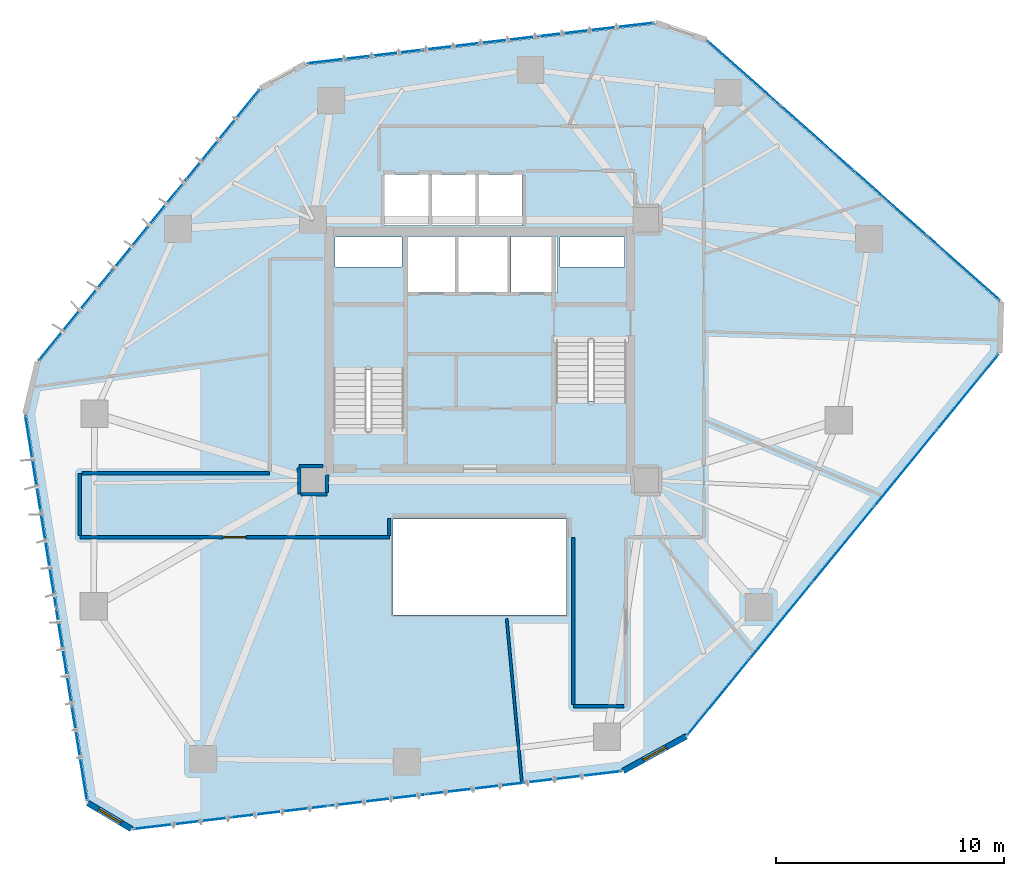
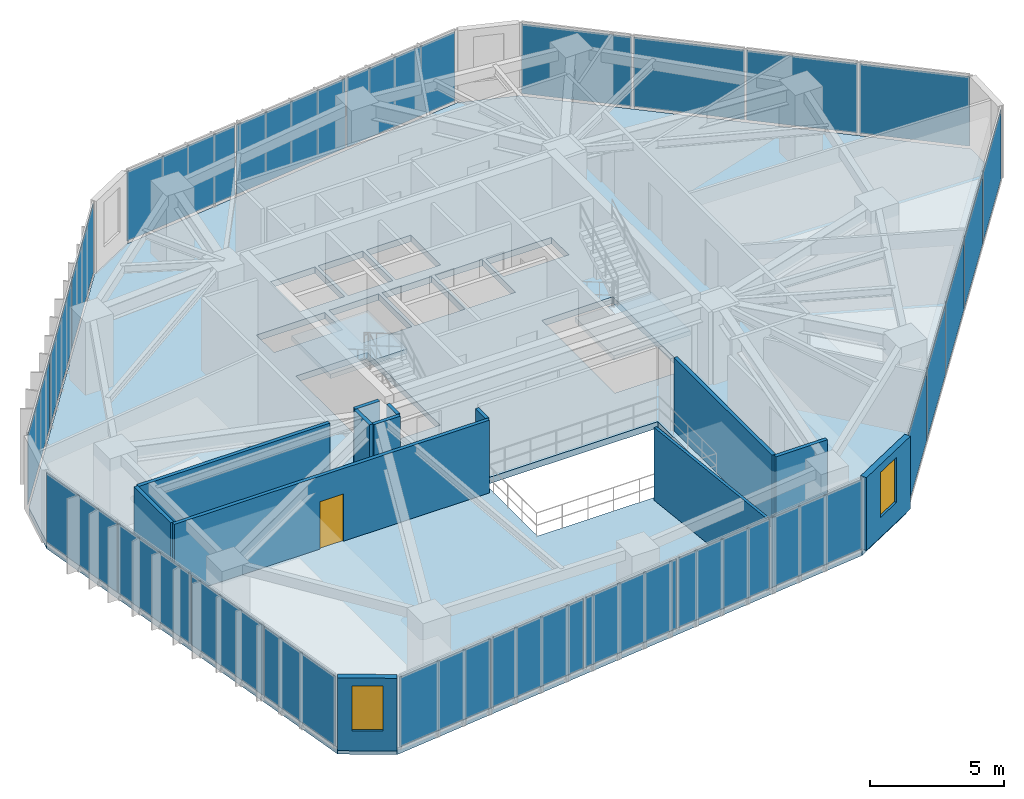
# One storey, part 18 of 24: 24 plates, 13 walls, 3 slabs, 2 windows, 1 door, 3 openings, 8 elements without a shape of their own.
"""IFC4 building model written with IfcOpenShell, lengths in metres."""

from ifc_helpers import new_model, si_unit, direction, frame, frame_2d, origin, origin_2d, place, context, subcontext, project, spatial, polyline, rectangle, outline, extrude, source, transform, mapped, material, layer, layer_set, type_object, type_shapes, element, fill, aggregate, save


model = new_model("IFC4")

# Units and contexts
model_context = context("Model", 3, precision=1e-05, world=origin(), true_north=direction((0.0, 1.0)))
body_context = subcontext(model_context, "Body", "Model", "MODEL_VIEW")
ifc_project = project(units=[si_unit("LENGTHUNIT", "METRE"), si_unit("AREAUNIT", "SQUARE_METRE"), si_unit("VOLUMEUNIT", "CUBIC_METRE"), si_unit("PLANEANGLEUNIT", "RADIAN"), si_unit("MASSUNIT", "GRAM", prefix="KILO")], contexts=[model_context])

# Site, building, storey
site_placement = place(None, origin())
site = spatial("IfcSite", under=ifc_project, at=site_placement, CompositionType="ELEMENT")
building_placement = place(site_placement, origin())
building = spatial("IfcBuilding", under=site, at=building_placement, Name="Talar Marvaseh", CompositionType="ELEMENT")
storey_placement = place(building_placement, frame((0.0, 0.0, 111.0)))
storey = spatial("IfcBuildingStorey", under=building, at=storey_placement, Name="L28", CompositionType="ELEMENT", Elevation=111.0)

# Stair, slab
ifc_material_1 = material(Name="Concrete C40/50", Category="concrete")
stair_type = type_object("IfcStairType", Name="Reinforced Concrete Half-Turn Exit Stair Type B", PredefinedType="HALF_TURN_STAIR", material=ifc_material_1)
stair_1_placement = place(storey_placement, origin())
stair_1 = element("IfcStair", 1, at=stair_1_placement, inside=storey, type_object=stair_type, Name="L28 Tower West Core Exit Stair", PredefinedType="HALF_TURN_STAIR")
ifc_layer_1 = layer(ifc_material_1, 0.199951171875)
ifc_layer_set_1 = layer_set([ifc_layer_1], Name="Concrete C40/50")
slab_type_1 = type_object("IfcSlabType", Name="Reinforced Concrete Stair Half-Landing Slab 200", PredefinedType="LANDING", material=ifc_layer_set_1)
slab_1_placement = place(storey_placement, frame((0.0, 0.0, 1.60009765625)))
slab_1 = element("IfcSlab", 2, at=slab_1_placement, type_object=slab_type_1, Name="ST-1 landing 1", PredefinedType="LANDING", context=body_context, shape_type="SweptSolid", body=[
    extrude(outline(polyline([(22.780029296875, 30.330078125), (22.780029296875, 33.219970703125), (19.47998046875, 33.219970703125), (19.47998046875, 30.330078125), (22.780029296875, 30.330078125)])), origin(), (0.0, 0.0, 1.0), 0.199951171875),
])
aggregate(stair_1, [slab_1])

stair_2_placement = place(storey_placement, origin())
stair_2 = element("IfcStair", 3, at=stair_2_placement, inside=storey, type_object=stair_type, Name="L28 Tower East Core Exit Stair", PredefinedType="HALF_TURN_STAIR")
slab_2_placement = place(storey_placement, frame((0.0, 0.0, 1.60009765625)))
slab_2 = element("IfcSlab", 4, at=slab_2_placement, type_object=slab_type_1, Name="ST-2 landing 1", PredefinedType="LANDING", context=body_context, shape_type="SweptSolid", body=[
    extrude(outline(polyline([(29.219970703125, 28.969970703125), (29.219970703125, 26.080078125), (32.52001953125, 26.080078125), (32.52001953125, 28.969970703125), (29.219970703125, 28.969970703125)])), origin(), (0.0, 0.0, 1.0), 0.199951171875),
])
aggregate(stair_2, [slab_2])

# Slab
ifc_layer_2 = layer(ifc_material_1, 0.2900390625)
ifc_layer_set_2 = layer_set([ifc_layer_2], Name="Concrete C40/50")
slab_type_2 = type_object("IfcSlabType", Name="Structural Suspended Floor Slab 290", PredefinedType="FLOOR", material=ifc_layer_set_2)
slab_3_placement = place(storey_placement, frame((0.0, 0.0, -0.2900390625)))
element("IfcSlab", 5, at=slab_3_placement, inside=storey, type_object=slab_type_2, Name="L28 Tower Floor Slab", PredefinedType="FLOOR", context=body_context, shape_type="SweptSolid", body=[
    extrude(outline(polyline([(10.782958984375, 10.28271484375), (8.879638671875, 11.418701171875), (6.16162109375, 28.39404296875), (6.713134765625, 30.6689453125), (16.436279296875, 42.598388671875), (18.404541015625, 43.67822265625), (33.690185546875, 45.468994140625), (35.905029296875, 44.7119140625), (48.76171875, 33.298583984375), (48.697021484375, 31.0830078125), (35.0166015625, 14.344482421875), (32.25048828125, 12.826904296875), (10.782958984375, 10.28271484375)]), holes=[polyline([(22.659912109375, 27.64990234375), (22.659912109375, 33.10009765625), (19.60009765625, 33.10009765625), (19.60009765625, 27.64990234375), (22.659912109375, 27.64990234375)]), polyline([(29.340087890625, 31.64990234375), (29.340087890625, 26.199951171875), (32.39990234375, 26.199951171875), (32.39990234375, 31.64990234375), (29.340087890625, 31.64990234375)]), polyline([(22.800048828125, 33.719970703125), (24.93994140625, 33.719970703125), (24.93994140625, 36.179931640625), (22.800048828125, 36.179931640625), (22.800048828125, 33.719970703125)]), polyline([(25.080078125, 33.719970703125), (27.219970703125, 33.719970703125), (27.219970703125, 36.179931640625), (25.080078125, 36.179931640625), (25.080078125, 33.719970703125)]), polyline([(27.360107421875, 33.719970703125), (29.39990234375, 33.719970703125), (29.39990234375, 36.179931640625), (27.360107421875, 36.179931640625), (27.360107421875, 33.719970703125)]), polyline([(21.840087890625, 36.659912109375), (23.760009765625, 36.659912109375), (23.760009765625, 38.8798828125), (21.840087890625, 38.8798828125), (21.840087890625, 36.659912109375)]), polyline([(23.89990234375, 36.659912109375), (25.820068359375, 36.659912109375), (25.820068359375, 38.8798828125), (23.89990234375, 38.8798828125), (23.89990234375, 36.659912109375)]), polyline([(25.9599609375, 36.659912109375), (27.8798828125, 36.659912109375), (27.8798828125, 38.8798828125), (25.9599609375, 38.8798828125), (25.9599609375, 36.659912109375)]), polyline([(19.659912109375, 34.840087890625), (22.60009765625, 34.840087890625), (22.60009765625, 36.139892578125), (19.659912109375, 36.139892578125), (19.659912109375, 34.840087890625)]), polyline([(29.52001953125, 34.840087890625), (32.340087890625, 34.840087890625), (32.340087890625, 36.139892578125), (29.52001953125, 36.139892578125), (29.52001953125, 34.840087890625)]), polyline([(22.199951171875, 19.60009765625), (29.800048828125, 19.60009765625), (29.800048828125, 23.800048828125), (22.199951171875, 23.800048828125), (22.199951171875, 19.60009765625)])]), origin(), (0.0, 0.0, 1.0), 0.2900390625),
])

# Curtain wall, plates
ifc_material_2 = material(Name="Architectural Aluminium", Category="aluminium")
ifc_layer_3 = layer(ifc_material_2, 0.199951171875)
ifc_layer_set_3 = layer_set([ifc_layer_3], Name="Architectural Aluminium")
curtain_wall_type = type_object("IfcCurtainWallType", Name="Unitised Acoustic Library Curtain Wall Z2", PredefinedType="NOTDEFINED", material=ifc_layer_set_3)
curtain_wall_1_placement = place(storey_placement, origin())
curtain_wall_1 = element("IfcCurtainWall", 6, at=curtain_wall_1_placement, inside=storey, type_object=curtain_wall_type, Name="L28 Unitised Acoustic Library Curtain Wall Z2", PredefinedType="NOTDEFINED")
ifc_material_3 = material(Name="Laminated Low-E Solar Glass", Category="glass")
ifc_layer_4 = layer(ifc_material_3, 0.028076171875)
ifc_layer_set_4 = layer_set([ifc_layer_4], Name="Laminated Low-E Solar Glass")
plate_type = type_object("IfcPlateType", Name="Double-Glazed Low-E Vision Curtain Panel 28", PredefinedType="CURTAIN_PANEL", material=ifc_layer_set_4)
shared_shape_1 = source(origin(), body_context, "Body", "SweptSolid", [
    extrude(rectangle(XDim=4.185302734375, YDim=0.028076171875, at=origin_2d()), origin(), (0.0, 0.0, 1.0), 3.159912109375),
])
plate_1_placement = place(storey_placement, frame((8.477783203125, 13.549560546875, 0.0751953125), z_axis=(0.0, 0.0, 1.0), x_axis=(-0.15809463081, 0.987423965533, 0.0)))
plate_1 = element("IfcPlate", 7, at=plate_1_placement, type_object=plate_type, Name="CW-Z2 panel 1.1", PredefinedType="CURTAIN_PANEL", context=body_context, shape_type="MappedRepresentation", body=[
    mapped(shared_shape_1, transform((0.0, 0.0, 0.0), x_axis=(1.0, 0.0, 0.0), y_axis=(0.0, 1.0, 0.0), z_axis=(0.0, 0.0, 1.0), scale=1.0)),
])
plate_2_placement = place(storey_placement, frame((6.4453125, 26.244140625, 0.0751953125), z_axis=(0.0, 0.0, 1.0), x_axis=(-0.15809463081, 0.987423965533, 0.0)))
plate_2 = element("IfcPlate", 8, at=plate_2_placement, type_object=plate_type, Name="CW-Z2 panel 4.1", PredefinedType="CURTAIN_PANEL", context=body_context, shape_type="MappedRepresentation", body=[
    mapped(shared_shape_1, transform((0.0, 0.0, 0.0), x_axis=(1.0, 0.0, 0.0), y_axis=(0.0, 1.0, 0.0), z_axis=(0.0, 0.0, 1.0), scale=1.0)),
])

curtain_wall_2_placement = place(storey_placement, origin())
curtain_wall_2 = element("IfcCurtainWall", 9, at=curtain_wall_2_placement, inside=storey, type_object=curtain_wall_type, Name="L28 Unitised Acoustic Library Curtain Wall Z2", PredefinedType="NOTDEFINED")
plate_3_placement = place(storey_placement, frame((37.56591796875, 43.317626953125, 0.0751953125), z_axis=(0.0, 0.0, 1.0), x_axis=(0.747842090012, -0.663876651499, 0.0)))
plate_3 = element("IfcPlate", 10, at=plate_3_placement, type_object=plate_type, Name="CW-Z2 panel 1.1", PredefinedType="CURTAIN_PANEL", context=body_context, shape_type="MappedRepresentation", body=[
    mapped(shared_shape_1, transform((0.0, 0.0, 0.0), x_axis=(1.0, 0.0, 0.0), y_axis=(0.0, 1.0, 0.0), z_axis=(0.0, 0.0, 1.0), scale=1.0)),
])
plate_4_placement = place(storey_placement, frame((47.180419921875, 34.78271484375, 0.0751953125), z_axis=(0.0, 0.0, 1.0), x_axis=(0.747842090012, -0.663876651499, 0.0)))
plate_4 = element("IfcPlate", 11, at=plate_4_placement, type_object=plate_type, Name="CW-Z2 panel 4.1", PredefinedType="CURTAIN_PANEL", context=body_context, shape_type="MappedRepresentation", body=[
    mapped(shared_shape_1, transform((0.0, 0.0, 0.0), x_axis=(1.0, 0.0, 0.0), y_axis=(0.0, 1.0, 0.0), z_axis=(0.0, 0.0, 1.0), scale=1.0)),
])

# Plate
shared_shape_2 = source(origin(), body_context, "Body", "SweptSolid", [
    extrude(rectangle(XDim=4.222900390625, YDim=0.028076171875, at=origin_2d()), origin(), (0.0, 0.0, 1.0), 3.159912109375),
])
plate_5_placement = place(storey_placement, frame((7.80126953125, 17.77490234375, 0.0751953125), z_axis=(0.0, 0.0, 1.0), x_axis=(-0.15809463081, 0.987423965533, 0.0)))
plate_5 = element("IfcPlate", 12, at=plate_5_placement, type_object=plate_type, Name="CW-Z2 panel 2.1", PredefinedType="CURTAIN_PANEL", context=body_context, shape_type="MappedRepresentation", body=[
    mapped(shared_shape_2, transform((0.0, 0.0, 0.0), x_axis=(1.0, 0.0, 0.0), y_axis=(0.0, 1.0, 0.0), z_axis=(0.0, 0.0, 1.0), scale=1.0)),
])

plate_6_placement = place(storey_placement, frame((7.121826171875, 22.018798828125, 0.0751953125), z_axis=(0.0, 0.0, 1.0), x_axis=(-0.15809463081, 0.987423965533, 0.0)))
plate_6 = element("IfcPlate", 13, at=plate_6_placement, type_object=plate_type, Name="CW-Z2 panel 3.1", PredefinedType="CURTAIN_PANEL", context=body_context, shape_type="MappedRepresentation", body=[
    mapped(shared_shape_2, transform((0.0, 0.0, 0.0), x_axis=(1.0, 0.0, 0.0), y_axis=(0.0, 1.0, 0.0), z_axis=(0.0, 0.0, 1.0), scale=1.0)),
])

aggregate(curtain_wall_1, [plate_1, plate_5, plate_6, plate_2])

plate_7_placement = place(storey_placement, frame((40.76611328125, 40.476806640625, 0.0751953125), z_axis=(0.0, 0.0, 1.0), x_axis=(0.747842090012, -0.663876651499, 0.0)))
plate_7 = element("IfcPlate", 14, at=plate_7_placement, type_object=plate_type, Name="CW-Z2 panel 2.1", PredefinedType="CURTAIN_PANEL", context=body_context, shape_type="MappedRepresentation", body=[
    mapped(shared_shape_2, transform((0.0, 0.0, 0.0), x_axis=(1.0, 0.0, 0.0), y_axis=(0.0, 1.0, 0.0), z_axis=(0.0, 0.0, 1.0), scale=1.0)),
])

plate_8_placement = place(storey_placement, frame((43.980224609375, 37.62353515625, 0.0751953125), z_axis=(0.0, 0.0, 1.0), x_axis=(0.747842090012, -0.663876651499, 0.0)))
plate_8 = element("IfcPlate", 15, at=plate_8_placement, type_object=plate_type, Name="CW-Z2 panel 3.1", PredefinedType="CURTAIN_PANEL", context=body_context, shape_type="MappedRepresentation", body=[
    mapped(shared_shape_2, transform((0.0, 0.0, 0.0), x_axis=(1.0, 0.0, 0.0), y_axis=(0.0, 1.0, 0.0), z_axis=(0.0, 0.0, 1.0), scale=1.0)),
])

aggregate(curtain_wall_2, [plate_3, plate_7, plate_8, plate_4])

# Curtain wall, plates
curtain_wall_3_placement = place(storey_placement, origin())
curtain_wall_3 = element("IfcCurtainWall", 16, at=curtain_wall_3_placement, inside=storey, type_object=curtain_wall_type, Name="L28 Unitised Acoustic Library Curtain Wall Z2", PredefinedType="NOTDEFINED")
shared_shape_3 = source(origin(), body_context, "Body", "SweptSolid", [
    extrude(rectangle(XDim=5.017578125, YDim=0.028076171875, at=origin_2d()), origin(), (0.0, 0.0, 1.0), 3.159912109375),
])
plate_9_placement = place(storey_placement, frame((8.299072265625, 32.709716796875, 0.0751953125), z_axis=(0.0, 0.0, 1.0), x_axis=(0.631781707311, 0.775146356701, 0.0)))
plate_9 = element("IfcPlate", 17, at=plate_9_placement, type_object=plate_type, Name="CW-Z2 panel 1.1", PredefinedType="CURTAIN_PANEL", context=body_context, shape_type="MappedRepresentation", body=[
    mapped(shared_shape_3, transform((0.0, 0.0, 0.0), x_axis=(1.0, 0.0, 0.0), y_axis=(0.0, 1.0, 0.0), z_axis=(0.0, 0.0, 1.0), scale=1.0)),
])
plate_10_placement = place(storey_placement, frame((14.75732421875, 40.633544921875, 0.0751953125), z_axis=(0.0, 0.0, 1.0), x_axis=(0.631781707311, 0.775146356701, 0.0)))
plate_10 = element("IfcPlate", 18, at=plate_10_placement, type_object=plate_type, Name="CW-Z2 panel 3.1", PredefinedType="CURTAIN_PANEL", context=body_context, shape_type="MappedRepresentation", body=[
    mapped(shared_shape_3, transform((0.0, 0.0, 0.0), x_axis=(1.0, 0.0, 0.0), y_axis=(0.0, 1.0, 0.0), z_axis=(0.0, 0.0, 1.0), scale=1.0)),
])

curtain_wall_4_placement = place(storey_placement, origin())
curtain_wall_4 = element("IfcCurtainWall", 19, at=curtain_wall_4_placement, inside=storey, type_object=curtain_wall_type, Name="L28 Unitised Acoustic Library Curtain Wall Z2", PredefinedType="NOTDEFINED")
plate_11_placement = place(storey_placement, frame((20.9638671875, 44.03857421875, 0.0751953125), z_axis=(0.0, 0.0, 1.0), x_axis=(0.993207081818, 0.116360184884, 0.0)))
plate_11 = element("IfcPlate", 20, at=plate_11_placement, type_object=plate_type, Name="CW-Z2 panel 1.1", PredefinedType="CURTAIN_PANEL", context=body_context, shape_type="MappedRepresentation", body=[
    mapped(shared_shape_3, transform((0.0, 0.0, 0.0), x_axis=(1.0, 0.0, 0.0), y_axis=(0.0, 1.0, 0.0), z_axis=(0.0, 0.0, 1.0), scale=1.0)),
])
plate_12_placement = place(storey_placement, frame((31.116943359375, 45.22802734375, 0.0751953125), z_axis=(0.0, 0.0, 1.0), x_axis=(0.993207081818, 0.116360184884, 0.0)))
plate_12 = element("IfcPlate", 21, at=plate_12_placement, type_object=plate_type, Name="CW-Z2 panel 3.1", PredefinedType="CURTAIN_PANEL", context=body_context, shape_type="MappedRepresentation", body=[
    mapped(shared_shape_3, transform((0.0, 0.0, 0.0), x_axis=(1.0, 0.0, 0.0), y_axis=(0.0, 1.0, 0.0), z_axis=(0.0, 0.0, 1.0), scale=1.0)),
])

# Plate
shared_shape_4 = source(origin(), body_context, "Body", "SweptSolid", [
    extrude(rectangle(XDim=5.054931640625, YDim=0.028076171875, at=origin_2d()), origin(), (0.0, 0.0, 1.0), 3.159912109375),
])
plate_13_placement = place(storey_placement, frame((11.5283203125, 36.671630859375, 0.0751953125), z_axis=(0.0, 0.0, 1.0), x_axis=(0.631781707311, 0.775146356701, 0.0)))
plate_13 = element("IfcPlate", 22, at=plate_13_placement, type_object=plate_type, Name="CW-Z2 panel 2.1", PredefinedType="CURTAIN_PANEL", context=body_context, shape_type="MappedRepresentation", body=[
    mapped(shared_shape_4, transform((0.0, 0.0, 0.0), x_axis=(1.0, 0.0, 0.0), y_axis=(0.0, 1.0, 0.0), z_axis=(0.0, 0.0, 1.0), scale=1.0)),
])

aggregate(curtain_wall_3, [plate_9, plate_13, plate_10])

plate_14_placement = place(storey_placement, frame((26.040283203125, 44.63330078125, 0.0751953125), z_axis=(0.0, 0.0, 1.0), x_axis=(0.993207081818, 0.116360184884, 0.0)))
plate_14 = element("IfcPlate", 23, at=plate_14_placement, type_object=plate_type, Name="CW-Z2 panel 2.1", PredefinedType="CURTAIN_PANEL", context=body_context, shape_type="MappedRepresentation", body=[
    mapped(shared_shape_4, transform((0.0, 0.0, 0.0), x_axis=(1.0, 0.0, 0.0), y_axis=(0.0, 1.0, 0.0), z_axis=(0.0, 0.0, 1.0), scale=1.0)),
])

aggregate(curtain_wall_4, [plate_11, plate_14, plate_12])

# Curtain wall, plates
curtain_wall_5_placement = place(storey_placement, origin())
curtain_wall_5 = element("IfcCurtainWall", 24, at=curtain_wall_5_placement, inside=storey, type_object=curtain_wall_type, Name="L28 Unitised Acoustic Library Curtain Wall Z2", PredefinedType="NOTDEFINED")
shared_shape_5 = source(origin(), body_context, "Body", "SweptSolid", [
    extrude(rectangle(XDim=4.2109375, YDim=0.028076171875, at=origin_2d()), origin(), (0.0, 0.0, 1.0), 3.159912109375),
])
plate_15_placement = place(storey_placement, frame((47.363525390625, 29.356689453125, 0.0751953125), z_axis=(0.0, 0.0, 1.0), x_axis=(-0.632823824661, -0.774295813589, 0.0)))
plate_15 = element("IfcPlate", 25, at=plate_15_placement, type_object=plate_type, Name="CW-Z2 panel 1.1", PredefinedType="CURTAIN_PANEL", context=body_context, shape_type="MappedRepresentation", body=[
    mapped(shared_shape_5, transform((0.0, 0.0, 0.0), x_axis=(1.0, 0.0, 0.0), y_axis=(0.0, 1.0, 0.0), z_axis=(0.0, 0.0, 1.0), scale=1.0)),
])
plate_16_placement = place(storey_placement, frame((36.443115234375, 15.994873046875, 0.0751953125), z_axis=(0.0, 0.0, 1.0), x_axis=(-0.632823824661, -0.774295813589, 0.0)))
plate_16 = element("IfcPlate", 26, at=plate_16_placement, type_object=plate_type, Name="CW-Z2 panel 5.1", PredefinedType="CURTAIN_PANEL", context=body_context, shape_type="MappedRepresentation", body=[
    mapped(shared_shape_5, transform((0.0, 0.0, 0.0), x_axis=(1.0, 0.0, 0.0), y_axis=(0.0, 1.0, 0.0), z_axis=(0.0, 0.0, 1.0), scale=1.0)),
])

curtain_wall_6_placement = place(storey_placement, origin())
curtain_wall_6 = element("IfcCurtainWall", 27, at=curtain_wall_6_placement, inside=storey, type_object=curtain_wall_type, Name="L28 Unitised Acoustic Library Curtain Wall Z2", PredefinedType="NOTDEFINED")
plate_17_placement = place(storey_placement, frame((30.092041015625, 12.5107421875, 0.0751953125), z_axis=(0.0, 0.0, 1.0), x_axis=(-0.993050271872, -0.117690940754, 0.0)))
plate_17 = element("IfcPlate", 28, at=plate_17_placement, type_object=plate_type, Name="CW-Z2 panel 1.1", PredefinedType="CURTAIN_PANEL", context=body_context, shape_type="MappedRepresentation", body=[
    mapped(shared_shape_5, transform((0.0, 0.0, 0.0), x_axis=(1.0, 0.0, 0.0), y_axis=(0.0, 1.0, 0.0), z_axis=(0.0, 0.0, 1.0), scale=1.0)),
])
plate_18_placement = place(storey_placement, frame((12.95556640625, 10.479736328125, 0.0751953125), z_axis=(0.0, 0.0, 1.0), x_axis=(-0.993050271872, -0.117690940754, 0.0)))
plate_18 = element("IfcPlate", 29, at=plate_18_placement, type_object=plate_type, Name="CW-Z2 panel 5.1", PredefinedType="CURTAIN_PANEL", context=body_context, shape_type="MappedRepresentation", body=[
    mapped(shared_shape_5, transform((0.0, 0.0, 0.0), x_axis=(1.0, 0.0, 0.0), y_axis=(0.0, 1.0, 0.0), z_axis=(0.0, 0.0, 1.0), scale=1.0)),
])

# Plate
shared_shape_6 = source(origin(), body_context, "Body", "SweptSolid", [
    extrude(rectangle(XDim=4.24853515625, YDim=0.028076171875, at=origin_2d()), origin(), (0.0, 0.0, 1.0), 3.159912109375),
])
type_shapes(plate_type, [shared_shape_1, shared_shape_2, shared_shape_3, shared_shape_4, shared_shape_5, shared_shape_6])
plate_19_placement = place(storey_placement, frame((44.639404296875, 26.0234375, 0.0751953125), z_axis=(0.0, 0.0, 1.0), x_axis=(-0.632823824661, -0.774295813589, 0.0)))
plate_19 = element("IfcPlate", 30, at=plate_19_placement, type_object=plate_type, Name="CW-Z2 panel 2.1", PredefinedType="CURTAIN_PANEL", context=body_context, shape_type="MappedRepresentation", body=[
    mapped(shared_shape_6, transform((0.0, 0.0, 0.0), x_axis=(1.0, 0.0, 0.0), y_axis=(0.0, 1.0, 0.0), z_axis=(0.0, 0.0, 1.0), scale=1.0)),
])

plate_20_placement = place(storey_placement, frame((41.9033203125, 22.67578125, 0.0751953125), z_axis=(0.0, 0.0, 1.0), x_axis=(-0.632823824661, -0.774295813589, 0.0)))
plate_20 = element("IfcPlate", 31, at=plate_20_placement, type_object=plate_type, Name="CW-Z2 panel 3.1", PredefinedType="CURTAIN_PANEL", context=body_context, shape_type="MappedRepresentation", body=[
    mapped(shared_shape_6, transform((0.0, 0.0, 0.0), x_axis=(1.0, 0.0, 0.0), y_axis=(0.0, 1.0, 0.0), z_axis=(0.0, 0.0, 1.0), scale=1.0)),
])

plate_21_placement = place(storey_placement, frame((39.167236328125, 19.328125, 0.0751953125), z_axis=(0.0, 0.0, 1.0), x_axis=(-0.632823824661, -0.774295813589, 0.0)))
plate_21 = element("IfcPlate", 32, at=plate_21_placement, type_object=plate_type, Name="CW-Z2 panel 4.1", PredefinedType="CURTAIN_PANEL", context=body_context, shape_type="MappedRepresentation", body=[
    mapped(shared_shape_6, transform((0.0, 0.0, 0.0), x_axis=(1.0, 0.0, 0.0), y_axis=(0.0, 1.0, 0.0), z_axis=(0.0, 0.0, 1.0), scale=1.0)),
])

aggregate(curtain_wall_5, [plate_15, plate_19, plate_20, plate_21, plate_16])

plate_22_placement = place(storey_placement, frame((25.8173828125, 12.004150390625, 0.0751953125), z_axis=(0.0, 0.0, 1.0), x_axis=(-0.993050271872, -0.117690940754, 0.0)))
plate_22 = element("IfcPlate", 33, at=plate_22_placement, type_object=plate_type, Name="CW-Z2 panel 2.1", PredefinedType="CURTAIN_PANEL", context=body_context, shape_type="MappedRepresentation", body=[
    mapped(shared_shape_6, transform((0.0, 0.0, 0.0), x_axis=(1.0, 0.0, 0.0), y_axis=(0.0, 1.0, 0.0), z_axis=(0.0, 0.0, 1.0), scale=1.0)),
])

plate_23_placement = place(storey_placement, frame((21.523681640625, 11.495361328125, 0.0751953125), z_axis=(0.0, 0.0, 1.0), x_axis=(-0.993050271872, -0.117690940754, 0.0)))
plate_23 = element("IfcPlate", 34, at=plate_23_placement, type_object=plate_type, Name="CW-Z2 panel 3.1", PredefinedType="CURTAIN_PANEL", context=body_context, shape_type="MappedRepresentation", body=[
    mapped(shared_shape_6, transform((0.0, 0.0, 0.0), x_axis=(1.0, 0.0, 0.0), y_axis=(0.0, 1.0, 0.0), z_axis=(0.0, 0.0, 1.0), scale=1.0)),
])

plate_24_placement = place(storey_placement, frame((17.230224609375, 10.986572265625, 0.0751953125), z_axis=(0.0, 0.0, 1.0), x_axis=(-0.993050271872, -0.117690940754, 0.0)))
plate_24 = element("IfcPlate", 35, at=plate_24_placement, type_object=plate_type, Name="CW-Z2 panel 4.1", PredefinedType="CURTAIN_PANEL", context=body_context, shape_type="MappedRepresentation", body=[
    mapped(shared_shape_6, transform((0.0, 0.0, 0.0), x_axis=(1.0, 0.0, 0.0), y_axis=(0.0, 1.0, 0.0), z_axis=(0.0, 0.0, 1.0), scale=1.0)),
])

aggregate(curtain_wall_6, [plate_17, plate_22, plate_23, plate_24, plate_18])

# Wall, opening, window
ifc_material_4 = material(Name="Precast concrete C45/55", Category="concrete")
ifc_layer_5 = layer(ifc_material_4, 0.2548828125)
ifc_layer_set_5 = layer_set([ifc_layer_5], Name="Precast concrete C45/55")
wall_type_1 = type_object("IfcWallType", Name="Chamfered Hexagonal Corner Pier Wall Z2 255", PredefinedType="SOLIDWALL", material=ifc_layer_set_5)
wall_1_placement = place(storey_placement, frame((10.752197265625, 10.231201171875, 0.0), z_axis=(0.0, 0.0, 1.0), x_axis=(-0.858686002266, 0.5125020483, 0.0)))
wall_1 = element("IfcWall", 36, at=wall_1_placement, inside=storey, type_object=wall_type_1, Name="L28 Chamfered Corner Limestone Pier 1", PredefinedType="SOLIDWALL", context=body_context, shape_type="SweptSolid", body=[
    extrude(rectangle(XDim=2.216552734375, YDim=0.2548828125, at=frame_2d((1.1083984375, 0.0))), origin(), (0.0, 0.0, 1.0), 3.31005859375),
])
opening_1_placement = place(wall_1_placement, frame((0.532958984375, 0.0, 0.89990234375)))
opening_1 = element("IfcOpeningElement", 37, at=opening_1_placement, cuts=wall_1, Name="Opening WN-CHM11", PredefinedType="OPENING", context=body_context, shape_type="SweptSolid", body=[
    extrude(rectangle(XDim=1.14990234375, YDim=2.050048828125, at=frame_2d((0.574951171875, 1.02490234375))), frame((0.0, 0.137451171875, 0.0), z_axis=(0.0, -1.0, 0.0), x_axis=(1.0, 0.0, 0.0)), (0.0, 0.0, 1.0), 0.27490234375),
])
window_type = type_object("IfcWindowType", Name="Zone 2 Chamfered Corner Slot Window 1150x2050", PartitioningType="SINGLE_PANEL", PredefinedType="WINDOW", material=ifc_material_3)
shared_shape_7 = source(origin(), body_context, "Body", "SweptSolid", [
    extrude(rectangle(XDim=1.14990234375, YDim=2.050048828125, at=frame_2d((0.574951171875, 1.02490234375))), frame((0.0, 0.030029296875, 0.0), z_axis=(0.0, -1.0, 0.0), x_axis=(1.0, 0.0, 0.0)), (0.0, 0.0, 1.0), 0.06005859375),
])
type_shapes(window_type, [shared_shape_7])
window_1_placement = place(opening_1_placement, origin())
window_1 = element("IfcWindow", 38, at=window_1_placement, inside=storey, type_object=window_type, Name="L28 Chamfered Corner Slot Window", OverallHeight=2.050048828125, OverallWidth=1.14990234375, PartitioningType="SINGLE_PANEL", PredefinedType="WINDOW", context=body_context, shape_type="MappedRepresentation", body=[
    mapped(shared_shape_7, transform((0.0, 0.0, 0.0), x_axis=(1.0, 0.0, 0.0), y_axis=(0.0, 1.0, 0.0), z_axis=(0.0, 0.0, 1.0), scale=1.0)),
])
fill(opening_1, window_1)

wall_2_placement = place(storey_placement, frame((35.045654296875, 14.2919921875, 0.0), z_axis=(0.0, 0.0, 1.0), x_axis=(-0.876739789671, -0.480965010378, 0.0)))
wall_2 = element("IfcWall", 39, at=wall_2_placement, inside=storey, type_object=wall_type_1, Name="L28 Chamfered Corner Limestone Pier 6", PredefinedType="SOLIDWALL", context=body_context, shape_type="SweptSolid", body=[
    extrude(rectangle(XDim=3.1552734375, YDim=0.2548828125, at=frame_2d((1.57763671875, 0.0))), origin(), (0.0, 0.0, 1.0), 3.31005859375),
])
opening_2_placement = place(wall_2_placement, frame((1.0029296875, 0.0, 0.89990234375)))
opening_2 = element("IfcOpeningElement", 40, at=opening_2_placement, cuts=wall_2, Name="Opening WN-CHM11", PredefinedType="OPENING", context=body_context, shape_type="SweptSolid", body=[
    extrude(rectangle(XDim=1.14990234375, YDim=2.050048828125, at=frame_2d((0.574951171875, 1.02490234375))), frame((0.0, 0.137451171875, 0.0), z_axis=(0.0, -1.0, 0.0), x_axis=(1.0, 0.0, 0.0)), (0.0, 0.0, 1.0), 0.27490234375),
])
window_2_placement = place(opening_2_placement, origin())
window_2 = element("IfcWindow", 41, at=window_2_placement, inside=storey, type_object=window_type, Name="L28 Chamfered Corner Slot Window", OverallHeight=2.050048828125, OverallWidth=1.14990234375, PartitioningType="SINGLE_PANEL", PredefinedType="WINDOW", context=body_context, shape_type="MappedRepresentation", body=[
    mapped(shared_shape_7, transform((0.0, 0.0, 0.0), x_axis=(1.0, 0.0, 0.0), y_axis=(0.0, 1.0, 0.0), z_axis=(0.0, 0.0, 1.0), scale=1.0)),
])
fill(opening_2, window_2)

# Wall, opening, door
ifc_material_5 = material(Name="Gypsum Board Partition Assembly")
ifc_layer_6 = layer(ifc_material_5, 0.155029296875)
ifc_layer_set_6 = layer_set([ifc_layer_6], Name="Gypsum Board Partition Assembly")
wall_type_2 = type_object("IfcWallType", Name="Corridor Fire-Rated Acoustic Partition 155", PredefinedType="PARTITIONING", material=ifc_layer_set_6)
wall_3_placement = place(storey_placement, frame((22.0400390625, 23.0, 0.0), z_axis=(0.0, 0.0, 1.0), x_axis=(-1.0, 0.0, 0.0)))
wall_3 = element("IfcWall", 42, at=wall_3_placement, inside=storey, type_object=wall_type_2, Name="L28 Interior Partition Wall", PredefinedType="PARTITIONING", context=body_context, shape_type="SweptSolid", body=[
    extrude(rectangle(XDim=13.5400390625, YDim=0.155029296875, at=frame_2d((6.77001953125, 0.0))), origin(), (0.0, 0.0, 1.0), 3.31005859375),
])
opening_3_placement = place(wall_3_placement, frame((6.27001953125, 0.0, 0.0)))
opening_3 = element("IfcOpeningElement", 43, at=opening_3_placement, cuts=wall_3, Name="Opening DR-RM100", PredefinedType="OPENING", context=body_context, shape_type="SweptSolid", body=[
    extrude(rectangle(XDim=1.0, YDim=2.14990234375, at=frame_2d((0.5, 1.074951171875))), frame((0.0, 0.08740234375, 0.0), z_axis=(0.0, -1.0, 0.0), x_axis=(1.0, 0.0, 0.0)), (0.0, 0.0, 1.0), 0.175048828125),
])
ifc_material_6 = material(Name="Acoustic Engineered Oak Timber", Category="wood")
door_type = type_object("IfcDoorType", Name="Corridor Fire-Rated Gallery Door 1000x2150", OperationType="NOTDEFINED", PredefinedType="DOOR", material=ifc_material_6)
shared_shape_8 = source(origin(), body_context, "Body", "SweptSolid", [
    extrude(rectangle(XDim=1.0, YDim=2.14990234375, at=frame_2d((0.5, 1.074951171875))), frame((0.0, 0.02490234375, 0.0), z_axis=(0.0, -1.0, 0.0), x_axis=(1.0, 0.0, 0.0)), (0.0, 0.0, 1.0), 0.050048828125),
])
type_shapes(door_type, [shared_shape_8])
door_placement = place(opening_3_placement, origin())
door = element("IfcDoor", 44, at=door_placement, inside=storey, type_object=door_type, Name="L28 Curatorial Office Door", OperationType="SINGLE_SWING_LEFT", OverallHeight=2.14990234375, OverallWidth=1.0, PredefinedType="DOOR", context=body_context, shape_type="MappedRepresentation", body=[
    mapped(shared_shape_8, transform((0.0, 0.0, 0.0), x_axis=(1.0, 0.0, 0.0), y_axis=(0.0, 1.0, 0.0), z_axis=(0.0, 0.0, 1.0), scale=1.0)),
])
fill(opening_3, door)

# Walls
wall_4_placement = place(storey_placement, frame((22.043212890625, 23.831298828125, 0.0), z_axis=(0.0, 0.0, 1.0), x_axis=(-0.003917697652, -0.999992325793, 0.0)))
element("IfcWall", 45, at=wall_4_placement, inside=storey, type_object=wall_type_2, Name="L28 Interior Partition Wall", PredefinedType="PARTITIONING", context=body_context, shape_type="SweptSolid", body=[
    extrude(rectangle(XDim=0.747802734375, YDim=0.155029296875, at=frame_2d((0.3740234375, 0.0))), origin(), (0.0, 0.0, 1.0), 3.31005859375),
])
wall_5_placement = place(storey_placement, frame((8.5, 23.08349609375, 0.0), z_axis=(0.0, 0.0, 1.0), x_axis=(0.0, 1.0, 0.0)))
element("IfcWall", 46, at=wall_5_placement, inside=storey, type_object=wall_type_2, Name="L28 Interior Partition Wall", PredefinedType="PARTITIONING", context=body_context, shape_type="SweptSolid", body=[
    extrude(rectangle(XDim=2.716552734375, YDim=0.155029296875, at=frame_2d((1.3583984375, 0.0))), origin(), (0.0, 0.0, 1.0), 3.31005859375),
])
wall_6_placement = place(storey_placement, frame((8.58349609375, 25.800048828125, 0.0), z_axis=(0.0, 0.0, 1.0), x_axis=(1.0, 0.0, 0.0)))
element("IfcWall", 47, at=wall_6_placement, inside=storey, type_object=wall_type_2, Name="L28 Interior Partition Wall", PredefinedType="PARTITIONING", context=body_context, shape_type="SweptSolid", body=[
    extrude(rectangle(XDim=8.216552734375, YDim=0.155029296875, at=frame_2d((4.1083984375, 0.0))), origin(), (0.0, 0.0, 1.0), 3.31005859375),
])
wall_7_placement = place(storey_placement, frame((19.1298828125, 26.114990234375, 0.0), z_axis=(0.0, 0.0, 1.0), x_axis=(-0.999986702653, -0.005156987215, 0.0)))
element("IfcWall", 48, at=wall_7_placement, inside=storey, type_object=wall_type_2, Name="L28 Interior Partition Wall", PredefinedType="PARTITIONING", context=body_context, shape_type="SweptSolid", body=[
    extrude(rectangle(XDim=1.04150390625, YDim=0.155029296875, at=frame_2d((0.520751953125, 0.0))), origin(), (0.0, 0.0, 1.0), 3.31005859375),
])
wall_8_placement = place(storey_placement, frame((18.088623046875, 26.02587890625, 0.0), z_axis=(0.0, 0.0, 1.0), x_axis=(0.002787893948, -0.999996113816, 0.0)))
element("IfcWall", 49, at=wall_8_placement, inside=storey, type_object=wall_type_2, Name="L28 Interior Partition Wall", PredefinedType="PARTITIONING", context=body_context, shape_type="SweptSolid", body=[
    extrude(rectangle(XDim=1.138427734375, YDim=0.155029296875, at=frame_2d((0.5693359375, 0.0))), origin(), (0.0, 0.0, 1.0), 3.31005859375),
])
wall_9_placement = place(storey_placement, frame((18.17529296875, 24.8876953125, 0.0), z_axis=(0.0, 0.0, 1.0), x_axis=(0.999999791525, 0.000645716611, 0.0)))
element("IfcWall", 50, at=wall_9_placement, inside=storey, type_object=wall_type_2, Name="L28 Interior Partition Wall", PredefinedType="PARTITIONING", context=body_context, shape_type="SweptSolid", body=[
    extrude(rectangle(XDim=1.13427734375, YDim=0.155029296875, at=frame_2d((0.567138671875, 0.0))), origin(), (0.0, 0.0, 1.0), 3.31005859375),
])
wall_10_placement = place(storey_placement, frame((19.31005859375, 24.971923828125, 0.0), z_axis=(0.0, 0.0, 1.0), x_axis=(0.006441090216, 0.999979255963, 0.0)))
element("IfcWall", 51, at=wall_10_placement, inside=storey, type_object=wall_type_2, Name="L28 Interior Partition Wall", PredefinedType="PARTITIONING", context=body_context, shape_type="SweptSolid", body=[
    extrude(rectangle(XDim=0.758056640625, YDim=0.155029296875, at=frame_2d((0.37890625, 0.0))), origin(), (0.0, 0.0, 1.0), 3.31005859375),
])
wall_11_placement = place(storey_placement, frame((32.31640625, 15.60009765625, 0.0), z_axis=(0.0, 0.0, 1.0), x_axis=(-1.0, 0.0, 0.0)))
element("IfcWall", 52, at=wall_11_placement, inside=storey, type_object=wall_type_2, Name="L28 Interior Partition Wall", PredefinedType="PARTITIONING", context=body_context, shape_type="SweptSolid", body=[
    extrude(rectangle(XDim=2.21630859375, YDim=0.155029296875, at=frame_2d((1.108154296875, 0.0))), origin(), (0.0, 0.0, 1.0), 3.31005859375),
])
wall_12_placement = place(storey_placement, frame((30.10009765625, 15.68359375, 0.0), z_axis=(0.0, 0.0, 1.0), x_axis=(0.0, 1.0, 0.0)))
element("IfcWall", 53, at=wall_12_placement, inside=storey, type_object=wall_type_2, Name="L28 Interior Partition Wall", PredefinedType="PARTITIONING", context=body_context, shape_type="SweptSolid", body=[
    extrude(rectangle(XDim=7.31640625, YDim=0.155029296875, at=frame_2d((3.658203125, 0.0))), origin(), (0.0, 0.0, 1.0), 3.31005859375),
])
ifc_layer_7 = layer(ifc_material_5, 0.1201171875)
ifc_layer_set_7 = layer_set([ifc_layer_7], Name="Gypsum Board Partition Assembly")
wall_type_3 = type_object("IfcWallType", Name="Demountable Studio Room Partition 120", PredefinedType="PARTITIONING", material=ifc_layer_set_7)
wall_13_placement = place(storey_placement, frame((27.179931640625, 19.43994140625, 0.0), z_axis=(0.0, 0.0, 1.0), x_axis=(0.092455303581, -0.995716835672, 0.0)))
element("IfcWall", 54, at=wall_13_placement, inside=storey, type_object=wall_type_3, Name="L28 Interior Partition Wall", PredefinedType="PARTITIONING", context=body_context, shape_type="SweptSolid", body=[
    extrude(rectangle(XDim=7.200927734375, YDim=0.1201171875, at=frame_2d((3.6005859375, 0.0))), origin(), (0.0, 0.0, 1.0), 3.31005859375),
])

save(model, "model.ifc")
